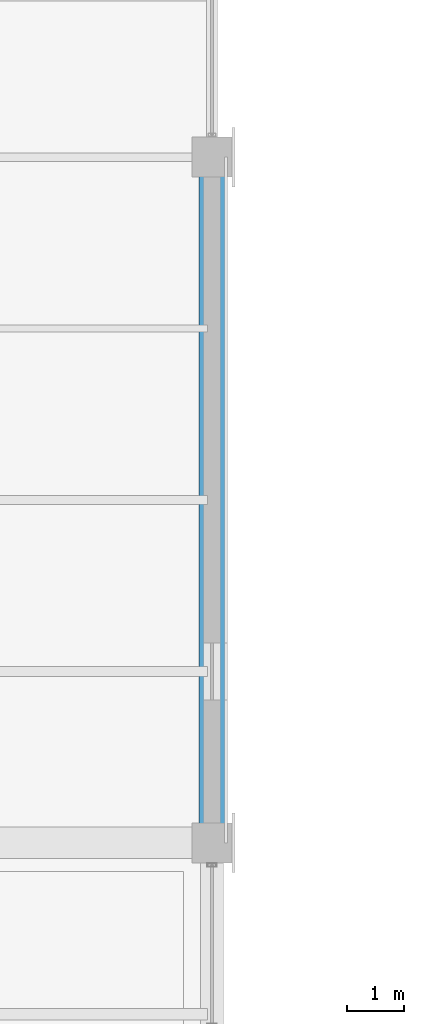
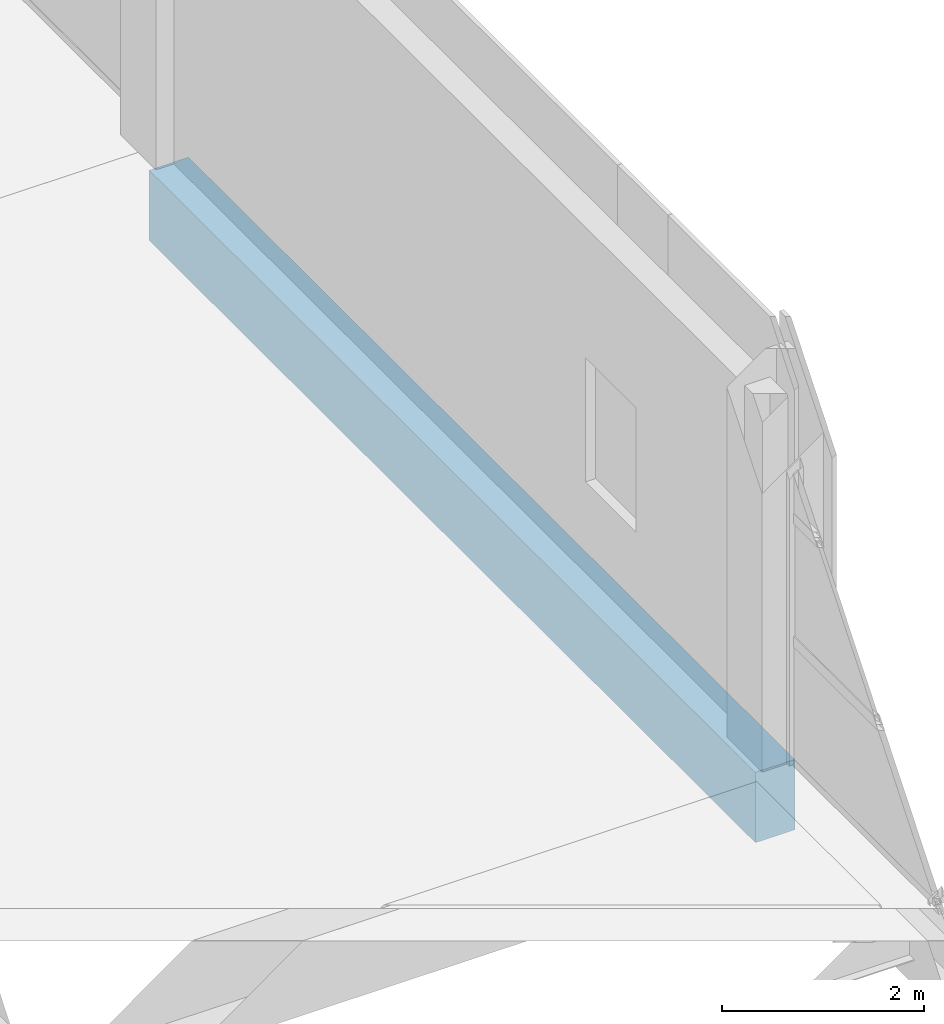
# One storey, part 40 of 112: 1 beam.
"""IFC4 building model written with IfcOpenShell, lengths in metres."""

from ifc_helpers import new_model, si_unit, direction, frame, origin, origin_2d, place, context, subcontext, project, spatial, rectangle, extrude, material, material_profile, profile_set, type_object, element, save


model = new_model("IFC4")

# Units and contexts
model_context = context("Model", 3, precision=1e-05, world=origin(), true_north=direction((0.0, 1.0)))
body_context = subcontext(model_context, "Body", "Model", "MODEL_VIEW")
ifc_project = project(units=[si_unit("LENGTHUNIT", "METRE"), si_unit("AREAUNIT", "SQUARE_METRE"), si_unit("VOLUMEUNIT", "CUBIC_METRE"), si_unit("PLANEANGLEUNIT", "RADIAN"), si_unit("MASSUNIT", "GRAM", prefix="KILO")], contexts=[model_context])

# Site, building, storey
site_placement = place(None, origin())
site = spatial("IfcSite", under=ifc_project, at=site_placement, CompositionType="ELEMENT")
building_placement = place(site_placement, origin())
building = spatial("IfcBuilding", under=site, at=building_placement, Name="Solvikara Media Centre", CompositionType="ELEMENT")
storey_placement = place(building_placement, frame((0.0, 0.0, 5.39990234375)))
storey = spatial("IfcBuildingStorey", under=building, at=storey_placement, Name="L01", CompositionType="ELEMENT", Elevation=5.39990234375)

# Beam
ifc_material = material(Name="Concrete fc' 35 MPa (C35/45)", Category="concrete")
ifc_material_profile = material_profile(ifc_material, rectangle(XDim=0.449951171875, YDim=0.85009765625, at=origin_2d()), Name="RC 450x850")
ifc_profile_set = profile_set([ifc_material_profile], Name="Concrete fc' 35 MPa (C35/45)")
beam_type = type_object("IfcBeamType", Name="BM-14", PredefinedType="SPANDREL", material=ifc_profile_set)
beam_placement = place(storey_placement, frame((34.0, 68.5, -0.684814453125), z_axis=(0.0, 1.0, 0.0), x_axis=(-1.0, 0.0, 0.0)))
element("IfcBeam", 1, at=beam_placement, inside=storey, type_object=beam_type, Name="B-L01-Y0578", PredefinedType="SPANDREL", context=body_context, shape_type="SweptSolid", body=[
    extrude(rectangle(XDim=0.449951171875, YDim=0.85009765625, at=origin_2d()), origin(), (0.0, 0.0, 1.0), 12.0),
])

save(model, "model.ifc")
